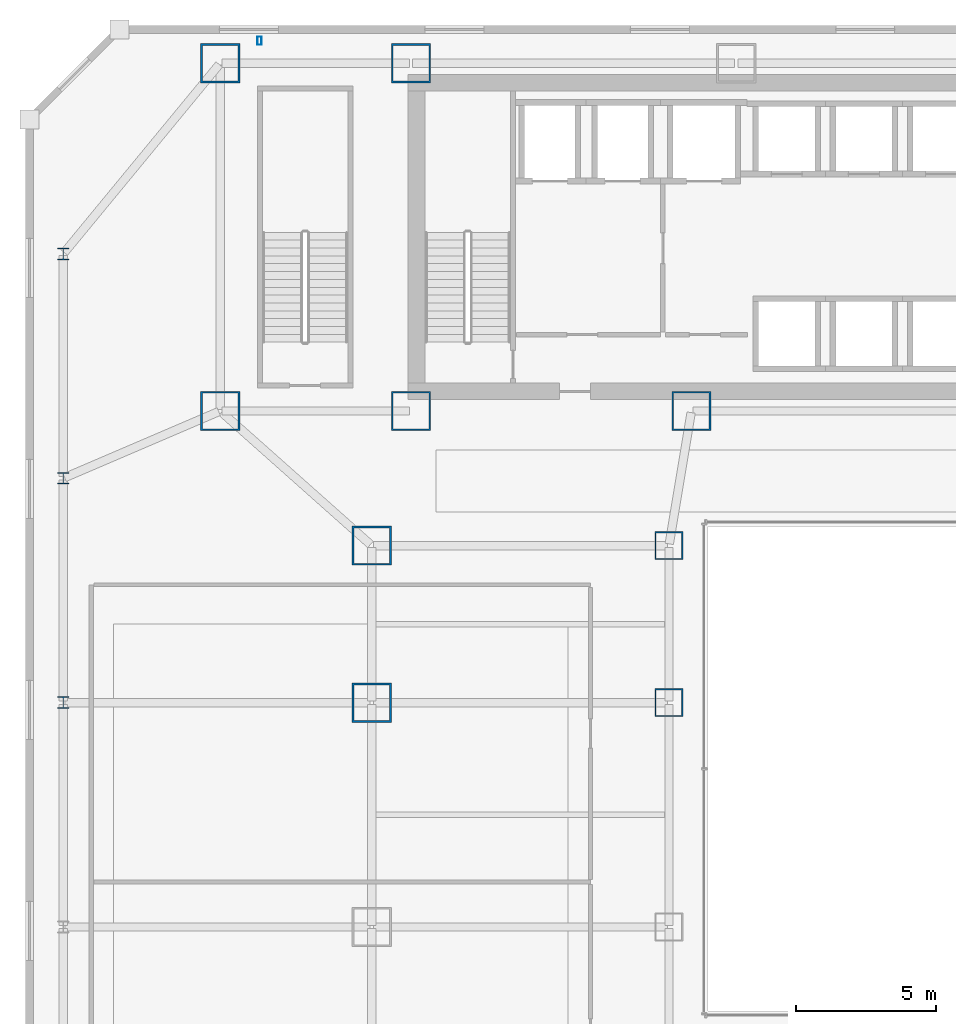
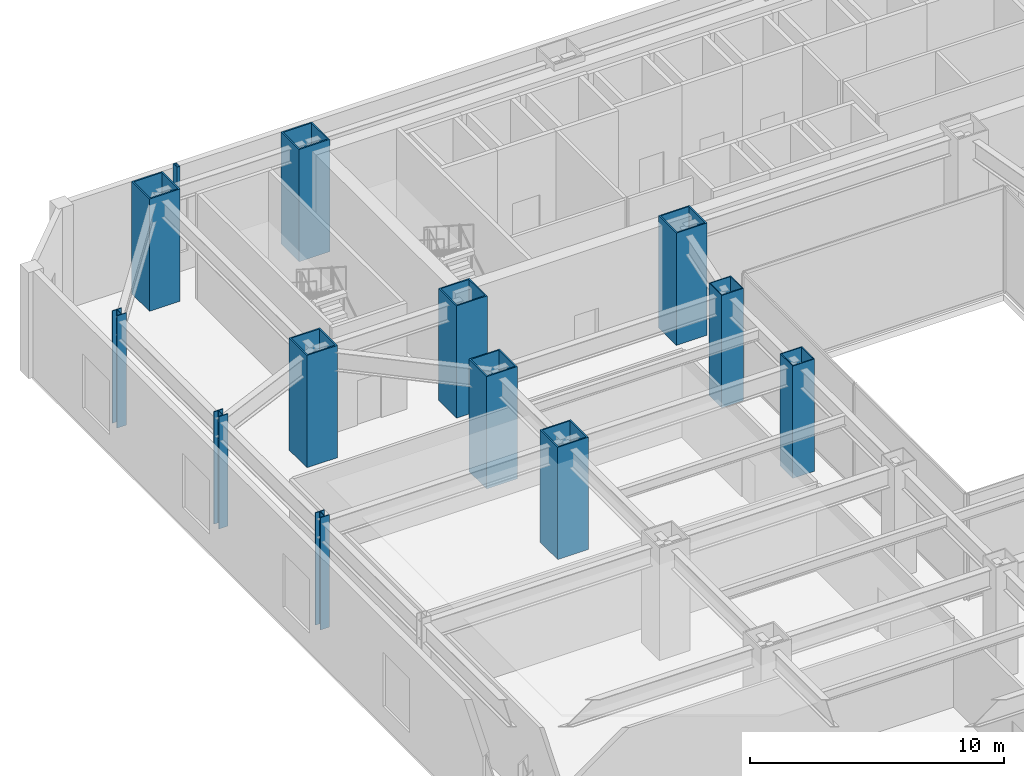
# One storey, part 3 of 52: 13 columns.
"""IFC4 building model written with IfcOpenShell, lengths in metres."""

from ifc_helpers import new_model, si_unit, direction, frame, origin, origin_2d, place, context, subcontext, project, spatial, hollow_rectangle, i_section, extrude, material, material_profile, profile_set, type_object, element, save


model = new_model("IFC4")

# Units and contexts
model_context = context("Model", 3, precision=1e-05, world=origin(), true_north=direction((0.0, 1.0)))
body_context = subcontext(model_context, "Body", "Model", "MODEL_VIEW")
ifc_project = project(units=[si_unit("LENGTHUNIT", "METRE"), si_unit("AREAUNIT", "SQUARE_METRE"), si_unit("VOLUMEUNIT", "CUBIC_METRE"), si_unit("PLANEANGLEUNIT", "RADIAN"), si_unit("MASSUNIT", "GRAM", prefix="KILO")], contexts=[model_context])

# Site, building, storey
site_placement = place(None, origin())
site = spatial("IfcSite", under=ifc_project, at=site_placement, CompositionType="ELEMENT")
building_placement = place(site_placement, origin())
building = spatial("IfcBuilding", under=site, at=building_placement, Name="Saevonmaru Cultural Tower", CompositionType="ELEMENT")
storey_placement = place(building_placement, frame((0.0, 0.0, 16.800048828125)))
storey = spatial("IfcBuildingStorey", under=building, at=storey_placement, Name="L03", CompositionType="ELEMENT", Elevation=16.800048828125)

# Columns
ifc_material_1 = material(Name="Steel SM420", Category="steel")
ifc_material_profile_1 = material_profile(ifc_material_1, hollow_rectangle(XDim=1.0, YDim=1.0, WallThickness=0.044921875, at=origin_2d()), Name="BOX-1000x1000x45")
ifc_profile_set_1 = profile_set([ifc_material_profile_1], Name="Steel SM420")
column_type_1 = type_object("IfcColumnType", Name="COL-BOX-1000", PredefinedType="COLUMN", material=ifc_profile_set_1)
for number, where, z_axis, x_axis, name in (
    (1, (22.800048828125, 32.0, 0.0), (0.0, 0.0, 1.0), (1.0, 0.0, 0.0), "L03 Column PC-W2-E"),
    (2, (22.800048828125, 37.60009765625, 0.0), (0.0, 0.0, 1.0), (1.0, 0.0, 0.0), "L03 Column PC-W2-F"),
):
    element("IfcColumn", number, at=place(storey_placement, frame(where, z_axis=z_axis, x_axis=x_axis)), inside=storey, type_object=column_type_1, Name=name, PredefinedType="COLUMN", context=body_context, shape_type="SweptSolid", body=[
        extrude(hollow_rectangle(XDim=1.0, YDim=1.0, WallThickness=0.044921875, at=origin_2d()), origin(), (0.0, 0.0, 1.0), 5.39990234375),
    ])
ifc_material_2 = material(Name="Steel HSA600 (600 MPa)", Category="steel")
ifc_material_profile_2 = material_profile(ifc_material_2, hollow_rectangle(XDim=1.39990234375, YDim=1.39990234375, WallThickness=0.06494140625, at=origin_2d()), Name="BOX-1400x1400x65")
ifc_profile_set_2 = profile_set([ifc_material_profile_2], Name="Steel HSA600 (600 MPa)")
column_type_2 = type_object("IfcColumnType", Name="COL-BOX-1400", PredefinedType="COLUMN", material=ifc_profile_set_2)
for number, where, z_axis, x_axis, name in (
    (3, (6.800048828125, 54.800048828125, 0.0), (0.0, 0.0, 1.0), (1.0, 0.0, 0.0), "L03 Column TC-N1N"),
    (4, (13.60009765625, 54.800048828125, 0.0), (0.0, 0.0, 1.0), (1.0, 0.0, 0.0), "L03 Column TC-N2N"),
    (5, (6.800048828125, 42.39990234375, 0.0), (0.0, 0.0, 1.0), (1.0, 0.0, 0.0), "L03 Column TC-S1C"),
    (6, (13.60009765625, 42.39990234375, 0.0), (0.0, 0.0, 1.0), (1.0, 0.0, 0.0), "L03 Column TC-S2C"),
    (7, (23.60009765625, 42.39990234375, 0.0), (0.0, 0.0, 1.0), (1.0, 0.0, 0.0), "L03 Column TC-S3C"),
    (8, (12.199951171875, 32.0, 0.0), (0.0, 0.0, 1.0), (1.0, 0.0, 0.0), "L03 Column PC-W1-E"),
    (9, (12.199951171875, 37.60009765625, 0.0), (0.0, 0.0, 1.0), (1.0, 0.0, 0.0), "L03 Column PC-W1-F"),
):
    element("IfcColumn", number, at=place(storey_placement, frame(where, z_axis=z_axis, x_axis=x_axis)), inside=storey, type_object=column_type_2, Name=name, PredefinedType="COLUMN", context=body_context, shape_type="SweptSolid", body=[
        extrude(hollow_rectangle(XDim=1.39990234375, YDim=1.39990234375, WallThickness=0.06494140625, at=origin_2d()), origin(), (0.0, 0.0, 1.0), 5.39990234375),
    ])
ifc_material_profile_3 = material_profile(ifc_material_1, i_section(OverallWidth=0.419921875, OverallDepth=0.419921875, WebThickness=0.02001953125, FlangeThickness=0.034912109375, FilletRadius=0.02197265625, at=origin_2d()), Name="H-428x407x20x35")
ifc_profile_set_3 = profile_set([ifc_material_profile_3], Name="Steel SM420")
column_type_3 = type_object("IfcColumnType", Name="COL-H-428", PredefinedType="COLUMN", material=ifc_profile_set_3)
for number, where, z_axis, x_axis, name in (
    (10, (1.199951171875, 32.0, 0.0), (0.0, 0.0, 1.0), (1.0, 0.0, 0.0), "L03 Column PC-PW-E"),
    (11, (1.199951171875, 40.0, 0.0), (0.0, 0.0, 1.0), (1.0, 0.0, 0.0), "L03 Column PC-PW-F"),
    (12, (1.199951171875, 48.0, 0.0), (0.0, 0.0, 1.0), (1.0, 0.0, 0.0), "L03 Column PC-PW-G"),
):
    element("IfcColumn", number, at=place(storey_placement, frame(where, z_axis=z_axis, x_axis=x_axis)), inside=storey, type_object=column_type_3, Name=name, PredefinedType="COLUMN", context=body_context, shape_type="SweptSolid", body=[
        extrude(i_section(OverallWidth=0.419921875, OverallDepth=0.419921875, WebThickness=0.02001953125, FlangeThickness=0.034912109375, FilletRadius=0.02197265625, at=origin_2d()), origin(), (0.0, 0.0, 1.0), 5.39990234375),
    ])
ifc_material_3 = material(Name="Steel SM355", Category="steel")
ifc_material_profile_4 = material_profile(ifc_material_3, hollow_rectangle(XDim=0.14990234375, YDim=0.300048828125, WallThickness=0.010009765625, at=origin_2d()), Name="RHS-300x150x10")
ifc_profile_set_4 = profile_set([ifc_material_profile_4], Name="Steel SM355")
column_type_4 = type_object("IfcColumnType", Name="PIL-RHS-300", PredefinedType="PILASTER", material=ifc_profile_set_4)
column_placement = place(storey_placement, frame((8.199951171875, 55.60009765625, 0.0), z_axis=(0.0, 0.0, 1.0), x_axis=(1.0, 0.0, 0.0)))
element("IfcColumn", 13, at=column_placement, inside=storey, type_object=column_type_4, Name="L03 Art Deco Bronze-Clad Pilaster PIL-NW", PredefinedType="PILASTER", context=body_context, shape_type="SweptSolid", body=[
    extrude(hollow_rectangle(XDim=0.14990234375, YDim=0.300048828125, WallThickness=0.010009765625, at=origin_2d()), origin(), (0.0, 0.0, 1.0), 5.39990234375),
])

save(model, "model.ifc")
